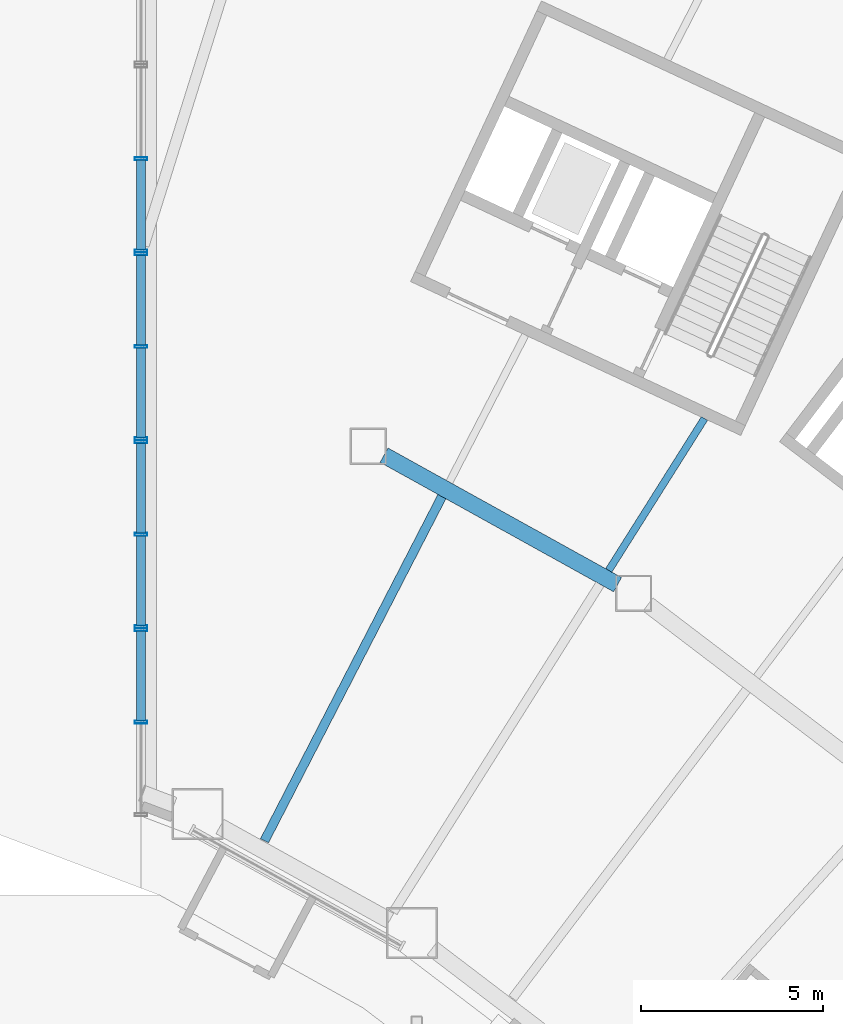
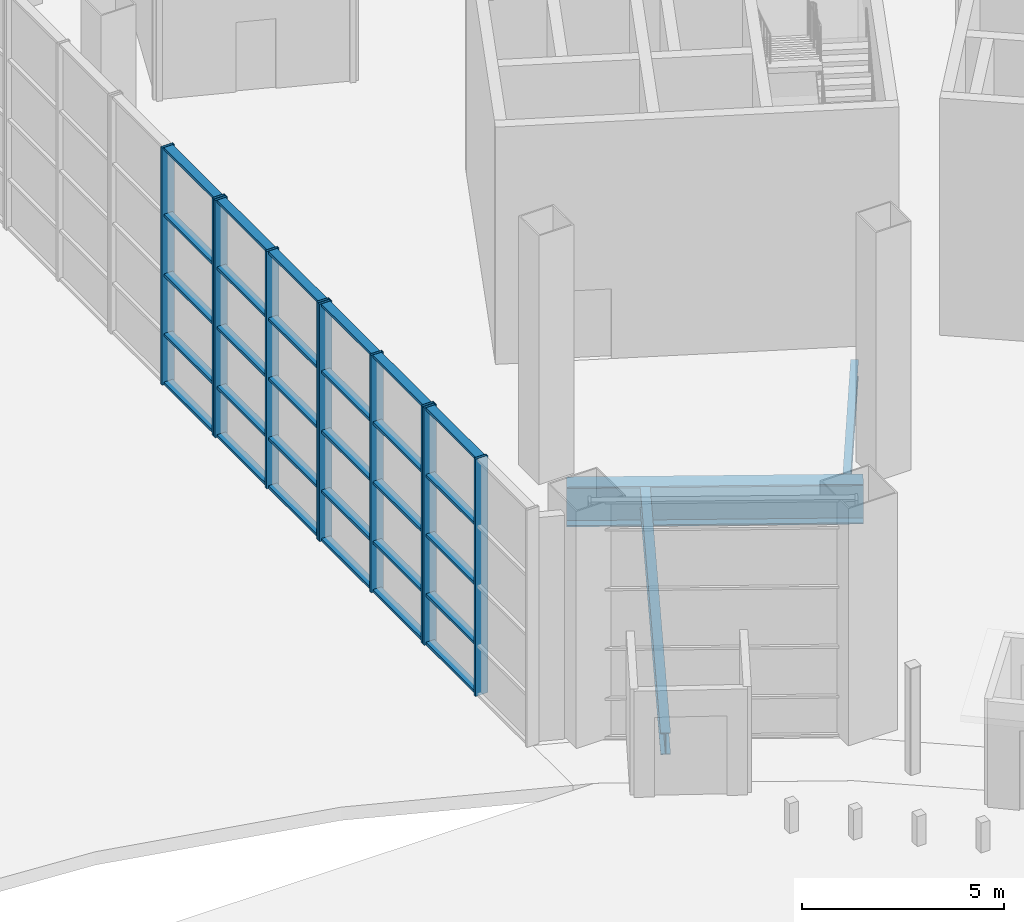
# One storey, part 21 of 45: 40 members, 3 beams, 4 elements without a shape of their own.
"""IFC4 building model written with IfcOpenShell, lengths in metres."""

from ifc_helpers import new_model, si_unit, direction, frame, origin, origin_2d, place, context, subcontext, project, spatial, hollow_rectangle, i_section, extrude, material, layer, layer_set, material_profile, profile_set, type_object, element, aggregate, save


model = new_model("IFC4")

# Units and contexts
model_context = context("Model", 3, precision=1e-05, world=origin(), true_north=direction((0.0, 1.0)))
body_context = subcontext(model_context, "Body", "Model", "MODEL_VIEW")
ifc_project = project(units=[si_unit("LENGTHUNIT", "METRE"), si_unit("AREAUNIT", "SQUARE_METRE"), si_unit("VOLUMEUNIT", "CUBIC_METRE"), si_unit("PLANEANGLEUNIT", "RADIAN"), si_unit("MASSUNIT", "GRAM", prefix="KILO")], contexts=[model_context])

# Site, building, storey
site_placement = place(None, origin())
site = spatial("IfcSite", under=ifc_project, at=site_placement, CompositionType="ELEMENT")
building_placement = place(site_placement, origin())
building = spatial("IfcBuilding", under=site, at=building_placement, Name="Tuul Gate Civic Tower", CompositionType="ELEMENT")
storey_placement = place(building_placement, origin())
storey = spatial("IfcBuildingStorey", under=building, at=storey_placement, Name="Level 00", CompositionType="ELEMENT", Elevation=0.0)

# Curtain wall, members
ifc_material_1 = material(Name="Stainless steel", Category="steel")
ifc_layer = layer(ifc_material_1, 0.199951171875)
ifc_layer_set = layer_set([ifc_layer], Name="Stainless steel")
curtain_wall_type = type_object("IfcCurtainWallType", Name="Curtain wall CW2", PredefinedType="NOTDEFINED", material=ifc_layer_set)
curtain_wall_1_placement = place(storey_placement, origin())
curtain_wall_1 = element("IfcCurtainWall", 1, at=curtain_wall_1_placement, inside=storey, type_object=curtain_wall_type, Name="Curtain wall CW2", PredefinedType="NOTDEFINED")
ifc_material_2 = material(Name="Stainless steel", Category="steel")
ifc_material_profile_1 = material_profile(ifc_material_2, hollow_rectangle(XDim=0.35009765625, YDim=0.080078125, WallThickness=0.006103515625, at=origin_2d()), Name="CW2 mullion")
ifc_profile_set_1 = profile_set([ifc_material_profile_1], Name="Stainless steel")
member_type_1 = type_object("IfcMemberType", Name="CW2 mullion", PredefinedType="MULLION", material=ifc_profile_set_1)
member_1_placement = place(storey_placement, frame((18.0, -15.25732421875, 0.0), z_axis=(0.0, 0.0, 1.0), x_axis=(-1.0, 0.0, 0.0)))
member_1 = element("IfcMember", 2, at=member_1_placement, type_object=member_type_1, Name="Mullion", PredefinedType="MULLION", context=body_context, shape_type="SweptSolid", body=[
    extrude(hollow_rectangle(XDim=0.35009765625, YDim=0.080078125, WallThickness=0.006103515625, at=origin_2d()), origin(), (0.0, 0.0, 1.0), 7.14990234375),
])
member_2_placement = place(storey_placement, frame((18.0, -12.71875, 0.0), z_axis=(0.0, 0.0, 1.0), x_axis=(-1.0, 0.0, 0.0)))
member_2 = element("IfcMember", 3, at=member_2_placement, type_object=member_type_1, Name="Mullion", PredefinedType="MULLION", context=body_context, shape_type="SweptSolid", body=[
    extrude(hollow_rectangle(XDim=0.35009765625, YDim=0.080078125, WallThickness=0.006103515625, at=origin_2d()), origin(), (0.0, 0.0, 1.0), 7.14990234375),
])

curtain_wall_2_placement = place(storey_placement, origin())
curtain_wall_2 = element("IfcCurtainWall", 4, at=curtain_wall_2_placement, inside=storey, type_object=curtain_wall_type, Name="Curtain wall CW2", PredefinedType="NOTDEFINED")
member_3_placement = place(storey_placement, frame((18.0, -12.638671875, 0.0), z_axis=(0.0, 0.0, 1.0), x_axis=(-1.0, 0.0, 0.0)))
member_3 = element("IfcMember", 5, at=member_3_placement, type_object=member_type_1, Name="Mullion", PredefinedType="MULLION", context=body_context, shape_type="SweptSolid", body=[
    extrude(hollow_rectangle(XDim=0.35009765625, YDim=0.080078125, WallThickness=0.006103515625, at=origin_2d()), origin(), (0.0, 0.0, 1.0), 7.14990234375),
])
member_4_placement = place(storey_placement, frame((18.0, -10.10009765625, 0.0), z_axis=(0.0, 0.0, 1.0), x_axis=(-1.0, 0.0, 0.0)))
member_4 = element("IfcMember", 6, at=member_4_placement, type_object=member_type_1, Name="Mullion", PredefinedType="MULLION", context=body_context, shape_type="SweptSolid", body=[
    extrude(hollow_rectangle(XDim=0.35009765625, YDim=0.080078125, WallThickness=0.006103515625, at=origin_2d()), origin(), (0.0, 0.0, 1.0), 7.14990234375),
])
member_5_placement = place(storey_placement, frame((18.0, -7.5615234375, 0.0), z_axis=(0.0, 0.0, 1.0), x_axis=(-1.0, 0.0, 0.0)))
member_5 = element("IfcMember", 7, at=member_5_placement, type_object=member_type_1, Name="Mullion", PredefinedType="MULLION", context=body_context, shape_type="SweptSolid", body=[
    extrude(hollow_rectangle(XDim=0.35009765625, YDim=0.080078125, WallThickness=0.006103515625, at=origin_2d()), origin(), (0.0, 0.0, 1.0), 7.14990234375),
])

curtain_wall_3_placement = place(storey_placement, origin())
curtain_wall_3 = element("IfcCurtainWall", 8, at=curtain_wall_3_placement, inside=storey, type_object=curtain_wall_type, Name="Curtain wall CW2", PredefinedType="NOTDEFINED")
member_6_placement = place(storey_placement, frame((18.0, -7.4814453125, 0.0), z_axis=(0.0, 0.0, 1.0), x_axis=(-1.0, 0.0, 0.0)))
member_6 = element("IfcMember", 9, at=member_6_placement, type_object=member_type_1, Name="Mullion", PredefinedType="MULLION", context=body_context, shape_type="SweptSolid", body=[
    extrude(hollow_rectangle(XDim=0.35009765625, YDim=0.080078125, WallThickness=0.006103515625, at=origin_2d()), origin(), (0.0, 0.0, 1.0), 7.14990234375),
])
member_7_placement = place(storey_placement, frame((18.0, -4.94287109375, 0.0), z_axis=(0.0, 0.0, 1.0), x_axis=(-1.0, 0.0, 0.0)))
member_7 = element("IfcMember", 10, at=member_7_placement, type_object=member_type_1, Name="Mullion", PredefinedType="MULLION", context=body_context, shape_type="SweptSolid", body=[
    extrude(hollow_rectangle(XDim=0.35009765625, YDim=0.080078125, WallThickness=0.006103515625, at=origin_2d()), origin(), (0.0, 0.0, 1.0), 7.14990234375),
])
member_8_placement = place(storey_placement, frame((18.0, -2.404052734375, 0.0), z_axis=(0.0, 0.0, 1.0), x_axis=(-1.0, 0.0, 0.0)))
member_8 = element("IfcMember", 11, at=member_8_placement, type_object=member_type_1, Name="Mullion", PredefinedType="MULLION", context=body_context, shape_type="SweptSolid", body=[
    extrude(hollow_rectangle(XDim=0.35009765625, YDim=0.080078125, WallThickness=0.006103515625, at=origin_2d()), origin(), (0.0, 0.0, 1.0), 7.14990234375),
])

curtain_wall_4_placement = place(storey_placement, origin())
curtain_wall_4 = element("IfcCurtainWall", 12, at=curtain_wall_4_placement, inside=storey, type_object=curtain_wall_type, Name="Curtain wall CW2", PredefinedType="NOTDEFINED")
member_9_placement = place(storey_placement, frame((18.0, -2.32421875, 0.0), z_axis=(0.0, 0.0, 1.0), x_axis=(-1.0, 0.0, 0.0)))
member_9 = element("IfcMember", 13, at=member_9_placement, type_object=member_type_1, Name="Mullion", PredefinedType="MULLION", context=body_context, shape_type="SweptSolid", body=[
    extrude(hollow_rectangle(XDim=0.35009765625, YDim=0.080078125, WallThickness=0.006103515625, at=origin_2d()), origin(), (0.0, 0.0, 1.0), 7.14990234375),
])
member_10_placement = place(storey_placement, frame((18.0, 0.214599609375, 0.0), z_axis=(0.0, 0.0, 1.0), x_axis=(-1.0, 0.0, 0.0)))
member_10 = element("IfcMember", 14, at=member_10_placement, type_object=member_type_1, Name="Mullion", PredefinedType="MULLION", context=body_context, shape_type="SweptSolid", body=[
    extrude(hollow_rectangle(XDim=0.35009765625, YDim=0.080078125, WallThickness=0.006103515625, at=origin_2d()), origin(), (0.0, 0.0, 1.0), 7.14990234375),
])

# Member
ifc_material_3 = material(Name="Stainless steel", Category="steel")
ifc_material_profile_2 = material_profile(ifc_material_3, hollow_rectangle(XDim=0.25, YDim=0.080078125, WallThickness=0.006103515625, at=origin_2d()), Name="CW2 transom")
ifc_profile_set_2 = profile_set([ifc_material_profile_2], Name="Stainless steel")
member_type_2 = type_object("IfcMemberType", Name="CW2 transom", PredefinedType="USERDEFINED", material=ifc_profile_set_2)
member_11_placement = place(storey_placement, frame((18.0, -15.21728515625, 0.0400390625), z_axis=(0.0, 1.0, 0.0), x_axis=(-1.0, 0.0, 0.0)))
member_11 = element("IfcMember", 15, at=member_11_placement, type_object=member_type_2, Name="Transom", ObjectType="TRANSOM", PredefinedType="USERDEFINED", context=body_context, shape_type="SweptSolid", body=[
    extrude(hollow_rectangle(XDim=0.25, YDim=0.080078125, WallThickness=0.006103515625, at=origin_2d()), origin(), (0.0, 0.0, 1.0), 2.45849609375),
])

member_12_placement = place(storey_placement, frame((18.0, -15.21728515625, 1.5), z_axis=(0.0, 1.0, 0.0), x_axis=(-1.0, 0.0, 0.0)))
member_12 = element("IfcMember", 16, at=member_12_placement, type_object=member_type_2, Name="Transom", ObjectType="TRANSOM", PredefinedType="USERDEFINED", context=body_context, shape_type="SweptSolid", body=[
    extrude(hollow_rectangle(XDim=0.25, YDim=0.080078125, WallThickness=0.006103515625, at=origin_2d()), origin(), (0.0, 0.0, 1.0), 2.45849609375),
])

member_13_placement = place(storey_placement, frame((18.0, -15.21728515625, 3.300048828125), z_axis=(0.0, 1.0, 0.0), x_axis=(-1.0, 0.0, 0.0)))
member_13 = element("IfcMember", 17, at=member_13_placement, type_object=member_type_2, Name="Transom", ObjectType="TRANSOM", PredefinedType="USERDEFINED", context=body_context, shape_type="SweptSolid", body=[
    extrude(hollow_rectangle(XDim=0.25, YDim=0.080078125, WallThickness=0.006103515625, at=origin_2d()), origin(), (0.0, 0.0, 1.0), 2.45849609375),
])

member_14_placement = place(storey_placement, frame((18.0, -15.21728515625, 5.10009765625), z_axis=(0.0, 1.0, 0.0), x_axis=(-1.0, 0.0, 0.0)))
member_14 = element("IfcMember", 18, at=member_14_placement, type_object=member_type_2, Name="Transom", ObjectType="TRANSOM", PredefinedType="USERDEFINED", context=body_context, shape_type="SweptSolid", body=[
    extrude(hollow_rectangle(XDim=0.25, YDim=0.080078125, WallThickness=0.006103515625, at=origin_2d()), origin(), (0.0, 0.0, 1.0), 2.45849609375),
])

member_15_placement = place(storey_placement, frame((18.0, -15.21728515625, 7.110107421875), z_axis=(0.0, 1.0, 0.0), x_axis=(-1.0, 0.0, 0.0)))
member_15 = element("IfcMember", 19, at=member_15_placement, type_object=member_type_2, Name="Transom", ObjectType="TRANSOM", PredefinedType="USERDEFINED", context=body_context, shape_type="SweptSolid", body=[
    extrude(hollow_rectangle(XDim=0.25, YDim=0.080078125, WallThickness=0.006103515625, at=origin_2d()), origin(), (0.0, 0.0, 1.0), 2.45849609375),
])

aggregate(curtain_wall_1, [member_1, member_2, member_11, member_12, member_13, member_14, member_15])

member_16_placement = place(storey_placement, frame((18.0, -12.5986328125, 0.0400390625), z_axis=(0.0, 1.0, 0.0), x_axis=(-1.0, 0.0, 0.0)))
member_16 = element("IfcMember", 20, at=member_16_placement, type_object=member_type_2, Name="Transom", ObjectType="TRANSOM", PredefinedType="USERDEFINED", context=body_context, shape_type="SweptSolid", body=[
    extrude(hollow_rectangle(XDim=0.25, YDim=0.080078125, WallThickness=0.006103515625, at=origin_2d()), origin(), (0.0, 0.0, 1.0), 2.45849609375),
])

member_17_placement = place(storey_placement, frame((18.0, -12.5986328125, 1.5), z_axis=(0.0, 1.0, 0.0), x_axis=(-1.0, 0.0, 0.0)))
member_17 = element("IfcMember", 21, at=member_17_placement, type_object=member_type_2, Name="Transom", ObjectType="TRANSOM", PredefinedType="USERDEFINED", context=body_context, shape_type="SweptSolid", body=[
    extrude(hollow_rectangle(XDim=0.25, YDim=0.080078125, WallThickness=0.006103515625, at=origin_2d()), origin(), (0.0, 0.0, 1.0), 2.45849609375),
])

member_18_placement = place(storey_placement, frame((18.0, -12.5986328125, 3.300048828125), z_axis=(0.0, 1.0, 0.0), x_axis=(-1.0, 0.0, 0.0)))
member_18 = element("IfcMember", 22, at=member_18_placement, type_object=member_type_2, Name="Transom", ObjectType="TRANSOM", PredefinedType="USERDEFINED", context=body_context, shape_type="SweptSolid", body=[
    extrude(hollow_rectangle(XDim=0.25, YDim=0.080078125, WallThickness=0.006103515625, at=origin_2d()), origin(), (0.0, 0.0, 1.0), 2.45849609375),
])

member_19_placement = place(storey_placement, frame((18.0, -12.5986328125, 5.10009765625), z_axis=(0.0, 1.0, 0.0), x_axis=(-1.0, 0.0, 0.0)))
member_19 = element("IfcMember", 23, at=member_19_placement, type_object=member_type_2, Name="Transom", ObjectType="TRANSOM", PredefinedType="USERDEFINED", context=body_context, shape_type="SweptSolid", body=[
    extrude(hollow_rectangle(XDim=0.25, YDim=0.080078125, WallThickness=0.006103515625, at=origin_2d()), origin(), (0.0, 0.0, 1.0), 2.45849609375),
])

member_20_placement = place(storey_placement, frame((18.0, -12.5986328125, 7.110107421875), z_axis=(0.0, 1.0, 0.0), x_axis=(-1.0, 0.0, 0.0)))
member_20 = element("IfcMember", 24, at=member_20_placement, type_object=member_type_2, Name="Transom", ObjectType="TRANSOM", PredefinedType="USERDEFINED", context=body_context, shape_type="SweptSolid", body=[
    extrude(hollow_rectangle(XDim=0.25, YDim=0.080078125, WallThickness=0.006103515625, at=origin_2d()), origin(), (0.0, 0.0, 1.0), 2.45849609375),
])

member_21_placement = place(storey_placement, frame((18.0, -10.06005859375, 0.0400390625), z_axis=(0.0, 1.0, 0.0), x_axis=(-1.0, 0.0, 0.0)))
member_21 = element("IfcMember", 25, at=member_21_placement, type_object=member_type_2, Name="Transom", ObjectType="TRANSOM", PredefinedType="USERDEFINED", context=body_context, shape_type="SweptSolid", body=[
    extrude(hollow_rectangle(XDim=0.25, YDim=0.080078125, WallThickness=0.006103515625, at=origin_2d()), origin(), (0.0, 0.0, 1.0), 2.458740234375),
])

member_22_placement = place(storey_placement, frame((18.0, -10.06005859375, 1.5), z_axis=(0.0, 1.0, 0.0), x_axis=(-1.0, 0.0, 0.0)))
member_22 = element("IfcMember", 26, at=member_22_placement, type_object=member_type_2, Name="Transom", ObjectType="TRANSOM", PredefinedType="USERDEFINED", context=body_context, shape_type="SweptSolid", body=[
    extrude(hollow_rectangle(XDim=0.25, YDim=0.080078125, WallThickness=0.006103515625, at=origin_2d()), origin(), (0.0, 0.0, 1.0), 2.458740234375),
])

member_23_placement = place(storey_placement, frame((18.0, -10.06005859375, 3.300048828125), z_axis=(0.0, 1.0, 0.0), x_axis=(-1.0, 0.0, 0.0)))
member_23 = element("IfcMember", 27, at=member_23_placement, type_object=member_type_2, Name="Transom", ObjectType="TRANSOM", PredefinedType="USERDEFINED", context=body_context, shape_type="SweptSolid", body=[
    extrude(hollow_rectangle(XDim=0.25, YDim=0.080078125, WallThickness=0.006103515625, at=origin_2d()), origin(), (0.0, 0.0, 1.0), 2.458740234375),
])

member_24_placement = place(storey_placement, frame((18.0, -10.06005859375, 5.10009765625), z_axis=(0.0, 1.0, 0.0), x_axis=(-1.0, 0.0, 0.0)))
member_24 = element("IfcMember", 28, at=member_24_placement, type_object=member_type_2, Name="Transom", ObjectType="TRANSOM", PredefinedType="USERDEFINED", context=body_context, shape_type="SweptSolid", body=[
    extrude(hollow_rectangle(XDim=0.25, YDim=0.080078125, WallThickness=0.006103515625, at=origin_2d()), origin(), (0.0, 0.0, 1.0), 2.458740234375),
])

member_25_placement = place(storey_placement, frame((18.0, -10.06005859375, 7.110107421875), z_axis=(0.0, 1.0, 0.0), x_axis=(-1.0, 0.0, 0.0)))
member_25 = element("IfcMember", 29, at=member_25_placement, type_object=member_type_2, Name="Transom", ObjectType="TRANSOM", PredefinedType="USERDEFINED", context=body_context, shape_type="SweptSolid", body=[
    extrude(hollow_rectangle(XDim=0.25, YDim=0.080078125, WallThickness=0.006103515625, at=origin_2d()), origin(), (0.0, 0.0, 1.0), 2.458740234375),
])

aggregate(curtain_wall_2, [member_3, member_4, member_5, member_16, member_17, member_18, member_19, member_20, member_21, member_22, member_23, member_24, member_25])

member_26_placement = place(storey_placement, frame((18.0, -7.44140625, 0.0400390625), z_axis=(0.0, 1.0, 0.0), x_axis=(-1.0, 0.0, 0.0)))
member_26 = element("IfcMember", 30, at=member_26_placement, type_object=member_type_2, Name="Transom", ObjectType="TRANSOM", PredefinedType="USERDEFINED", context=body_context, shape_type="SweptSolid", body=[
    extrude(hollow_rectangle(XDim=0.25, YDim=0.080078125, WallThickness=0.006103515625, at=origin_2d()), origin(), (0.0, 0.0, 1.0), 2.458740234375),
])

member_27_placement = place(storey_placement, frame((18.0, -7.44140625, 1.5), z_axis=(0.0, 1.0, 0.0), x_axis=(-1.0, 0.0, 0.0)))
member_27 = element("IfcMember", 31, at=member_27_placement, type_object=member_type_2, Name="Transom", ObjectType="TRANSOM", PredefinedType="USERDEFINED", context=body_context, shape_type="SweptSolid", body=[
    extrude(hollow_rectangle(XDim=0.25, YDim=0.080078125, WallThickness=0.006103515625, at=origin_2d()), origin(), (0.0, 0.0, 1.0), 2.458740234375),
])

member_28_placement = place(storey_placement, frame((18.0, -7.44140625, 3.300048828125), z_axis=(0.0, 1.0, 0.0), x_axis=(-1.0, 0.0, 0.0)))
member_28 = element("IfcMember", 32, at=member_28_placement, type_object=member_type_2, Name="Transom", ObjectType="TRANSOM", PredefinedType="USERDEFINED", context=body_context, shape_type="SweptSolid", body=[
    extrude(hollow_rectangle(XDim=0.25, YDim=0.080078125, WallThickness=0.006103515625, at=origin_2d()), origin(), (0.0, 0.0, 1.0), 2.458740234375),
])

member_29_placement = place(storey_placement, frame((18.0, -7.44140625, 5.10009765625), z_axis=(0.0, 1.0, 0.0), x_axis=(-1.0, 0.0, 0.0)))
member_29 = element("IfcMember", 33, at=member_29_placement, type_object=member_type_2, Name="Transom", ObjectType="TRANSOM", PredefinedType="USERDEFINED", context=body_context, shape_type="SweptSolid", body=[
    extrude(hollow_rectangle(XDim=0.25, YDim=0.080078125, WallThickness=0.006103515625, at=origin_2d()), origin(), (0.0, 0.0, 1.0), 2.458740234375),
])

member_30_placement = place(storey_placement, frame((18.0, -7.44140625, 7.110107421875), z_axis=(0.0, 1.0, 0.0), x_axis=(-1.0, 0.0, 0.0)))
member_30 = element("IfcMember", 34, at=member_30_placement, type_object=member_type_2, Name="Transom", ObjectType="TRANSOM", PredefinedType="USERDEFINED", context=body_context, shape_type="SweptSolid", body=[
    extrude(hollow_rectangle(XDim=0.25, YDim=0.080078125, WallThickness=0.006103515625, at=origin_2d()), origin(), (0.0, 0.0, 1.0), 2.458740234375),
])

member_31_placement = place(storey_placement, frame((18.0, -4.90283203125, 0.0400390625), z_axis=(0.0, 1.0, 0.0), x_axis=(-1.0, 0.0, 0.0)))
member_31 = element("IfcMember", 35, at=member_31_placement, type_object=member_type_2, Name="Transom", ObjectType="TRANSOM", PredefinedType="USERDEFINED", context=body_context, shape_type="SweptSolid", body=[
    extrude(hollow_rectangle(XDim=0.25, YDim=0.080078125, WallThickness=0.006103515625, at=origin_2d()), origin(), (0.0, 0.0, 1.0), 2.458740234375),
])

member_32_placement = place(storey_placement, frame((18.0, -4.90283203125, 1.5), z_axis=(0.0, 1.0, 0.0), x_axis=(-1.0, 0.0, 0.0)))
member_32 = element("IfcMember", 36, at=member_32_placement, type_object=member_type_2, Name="Transom", ObjectType="TRANSOM", PredefinedType="USERDEFINED", context=body_context, shape_type="SweptSolid", body=[
    extrude(hollow_rectangle(XDim=0.25, YDim=0.080078125, WallThickness=0.006103515625, at=origin_2d()), origin(), (0.0, 0.0, 1.0), 2.458740234375),
])

member_33_placement = place(storey_placement, frame((18.0, -4.90283203125, 3.300048828125), z_axis=(0.0, 1.0, 0.0), x_axis=(-1.0, 0.0, 0.0)))
member_33 = element("IfcMember", 37, at=member_33_placement, type_object=member_type_2, Name="Transom", ObjectType="TRANSOM", PredefinedType="USERDEFINED", context=body_context, shape_type="SweptSolid", body=[
    extrude(hollow_rectangle(XDim=0.25, YDim=0.080078125, WallThickness=0.006103515625, at=origin_2d()), origin(), (0.0, 0.0, 1.0), 2.458740234375),
])

member_34_placement = place(storey_placement, frame((18.0, -4.90283203125, 5.10009765625), z_axis=(0.0, 1.0, 0.0), x_axis=(-1.0, 0.0, 0.0)))
member_34 = element("IfcMember", 38, at=member_34_placement, type_object=member_type_2, Name="Transom", ObjectType="TRANSOM", PredefinedType="USERDEFINED", context=body_context, shape_type="SweptSolid", body=[
    extrude(hollow_rectangle(XDim=0.25, YDim=0.080078125, WallThickness=0.006103515625, at=origin_2d()), origin(), (0.0, 0.0, 1.0), 2.458740234375),
])

member_35_placement = place(storey_placement, frame((18.0, -4.90283203125, 7.110107421875), z_axis=(0.0, 1.0, 0.0), x_axis=(-1.0, 0.0, 0.0)))
member_35 = element("IfcMember", 39, at=member_35_placement, type_object=member_type_2, Name="Transom", ObjectType="TRANSOM", PredefinedType="USERDEFINED", context=body_context, shape_type="SweptSolid", body=[
    extrude(hollow_rectangle(XDim=0.25, YDim=0.080078125, WallThickness=0.006103515625, at=origin_2d()), origin(), (0.0, 0.0, 1.0), 2.458740234375),
])

aggregate(curtain_wall_3, [member_6, member_7, member_8, member_26, member_27, member_28, member_29, member_30, member_31, member_32, member_33, member_34, member_35])

member_36_placement = place(storey_placement, frame((18.0, -2.2841796875, 0.0400390625), z_axis=(0.0, 1.0, 0.0), x_axis=(-1.0, 0.0, 0.0)))
member_36 = element("IfcMember", 40, at=member_36_placement, type_object=member_type_2, Name="Transom", ObjectType="TRANSOM", PredefinedType="USERDEFINED", context=body_context, shape_type="SweptSolid", body=[
    extrude(hollow_rectangle(XDim=0.25, YDim=0.080078125, WallThickness=0.006103515625, at=origin_2d()), origin(), (0.0, 0.0, 1.0), 2.458740234375),
])

member_37_placement = place(storey_placement, frame((18.0, -2.2841796875, 1.5), z_axis=(0.0, 1.0, 0.0), x_axis=(-1.0, 0.0, 0.0)))
member_37 = element("IfcMember", 41, at=member_37_placement, type_object=member_type_2, Name="Transom", ObjectType="TRANSOM", PredefinedType="USERDEFINED", context=body_context, shape_type="SweptSolid", body=[
    extrude(hollow_rectangle(XDim=0.25, YDim=0.080078125, WallThickness=0.006103515625, at=origin_2d()), origin(), (0.0, 0.0, 1.0), 2.458740234375),
])

member_38_placement = place(storey_placement, frame((18.0, -2.2841796875, 3.300048828125), z_axis=(0.0, 1.0, 0.0), x_axis=(-1.0, 0.0, 0.0)))
member_38 = element("IfcMember", 42, at=member_38_placement, type_object=member_type_2, Name="Transom", ObjectType="TRANSOM", PredefinedType="USERDEFINED", context=body_context, shape_type="SweptSolid", body=[
    extrude(hollow_rectangle(XDim=0.25, YDim=0.080078125, WallThickness=0.006103515625, at=origin_2d()), origin(), (0.0, 0.0, 1.0), 2.458740234375),
])

member_39_placement = place(storey_placement, frame((18.0, -2.2841796875, 5.10009765625), z_axis=(0.0, 1.0, 0.0), x_axis=(-1.0, 0.0, 0.0)))
member_39 = element("IfcMember", 43, at=member_39_placement, type_object=member_type_2, Name="Transom", ObjectType="TRANSOM", PredefinedType="USERDEFINED", context=body_context, shape_type="SweptSolid", body=[
    extrude(hollow_rectangle(XDim=0.25, YDim=0.080078125, WallThickness=0.006103515625, at=origin_2d()), origin(), (0.0, 0.0, 1.0), 2.458740234375),
])

member_40_placement = place(storey_placement, frame((18.0, -2.2841796875, 7.110107421875), z_axis=(0.0, 1.0, 0.0), x_axis=(-1.0, 0.0, 0.0)))
member_40 = element("IfcMember", 44, at=member_40_placement, type_object=member_type_2, Name="Transom", ObjectType="TRANSOM", PredefinedType="USERDEFINED", context=body_context, shape_type="SweptSolid", body=[
    extrude(hollow_rectangle(XDim=0.25, YDim=0.080078125, WallThickness=0.006103515625, at=origin_2d()), origin(), (0.0, 0.0, 1.0), 2.458740234375),
])

aggregate(curtain_wall_4, [member_9, member_10, member_36, member_37, member_38, member_39, member_40])

# Beams
ifc_material_4 = material(Name="Steel S355", Category="steel")
ifc_material_profile_3 = material_profile(ifc_material_4, i_section(OverallWidth=0.199951171875, OverallDepth=0.5, WebThickness=0.010009765625, FlangeThickness=0.01611328125, at=origin_2d()), Name="PG500x200x10x16")
ifc_profile_set_3 = profile_set([ifc_material_profile_3], Name="Steel S355")
beam_type_1 = type_object("IfcBeamType", Name="STR-FLOOR BEAM-PG500x200x10x16", PredefinedType="BEAM", material=ifc_profile_set_3)
beam_1_placement = place(storey_placement, frame((30.841552734375, -11.089599609375, -0.64990234375), z_axis=(0.533401895613, 0.845861937763, 0.0), x_axis=(-0.845861937763, 0.533401895613, 0.0)))
element("IfcBeam", 45, at=beam_1_placement, inside=storey, type_object=beam_type_1, Name="Floor beam", PredefinedType="BEAM", context=body_context, shape_type="SweptSolid", body=[
    extrude(i_section(OverallWidth=0.199951171875, OverallDepth=0.5, WebThickness=0.010009765625, FlangeThickness=0.01611328125, at=origin_2d()), origin(), (0.0, 0.0, 1.0), 4.92724609375),
])
ifc_material_5 = material(Name="Steel S355", Category="steel")
ifc_material_profile_4 = material_profile(ifc_material_5, i_section(OverallWidth=0.25, OverallDepth=0.64990234375, WebThickness=0.011962890625, FlangeThickness=0.02001953125, at=origin_2d()), Name="PG650x250x12x20")
ifc_profile_set_4 = profile_set([ifc_material_profile_4], Name="Steel S355")
beam_type_2 = type_object("IfcBeamType", Name="STR-FLOOR BEAM-PG650x250x12x20", PredefinedType="BEAM", material=ifc_profile_set_4)
beam_2_placement = place(storey_placement, frame((21.390380859375, -18.512939453125, -0.72509765625), z_axis=(0.45825908174, 0.888818662047, 0.0), x_axis=(-0.888818662047, 0.45825908174, 0.0)))
element("IfcBeam", 46, at=beam_2_placement, inside=storey, type_object=beam_type_2, Name="Floor beam", PredefinedType="BEAM", context=body_context, shape_type="SweptSolid", body=[
    extrude(i_section(OverallWidth=0.25, OverallDepth=0.64990234375, WebThickness=0.011962890625, FlangeThickness=0.02001953125, at=origin_2d()), origin(), (0.0, 0.0, 1.0), 10.629638671875),
])
ifc_material_6 = material(Name="Steel S355", Category="steel")
ifc_material_profile_5 = material_profile(ifc_material_6, i_section(OverallWidth=0.449951171875, OverallDepth=1.199951171875, WebThickness=0.02001953125, FlangeThickness=0.0400390625, at=origin_2d()), Name="PG1200x450x20x40")
ifc_profile_set_5 = profile_set([ifc_material_profile_5], Name="Steel S355")
beam_type_3 = type_object("IfcBeamType", Name="STR-RING BEAM-PG1200x450x20x40", PredefinedType="BEAM", material=ifc_profile_set_5)
beam_3_placement = place(storey_placement, frame((24.67333984375, -7.927490234375, -1.0), z_axis=(0.874595196089, -0.484853836717, 0.0), x_axis=(0.484853836717, 0.874595196089, 0.0)))
element("IfcBeam", 47, at=beam_3_placement, inside=storey, type_object=beam_type_3, Name="Ring girder", PredefinedType="BEAM", context=body_context, shape_type="SweptSolid", body=[
    extrude(i_section(OverallWidth=0.449951171875, OverallDepth=1.199951171875, WebThickness=0.02001953125, FlangeThickness=0.0400390625, at=origin_2d()), origin(), (0.0, 0.0, 1.0), 7.3310546875),
])

save(model, "model.ifc")
